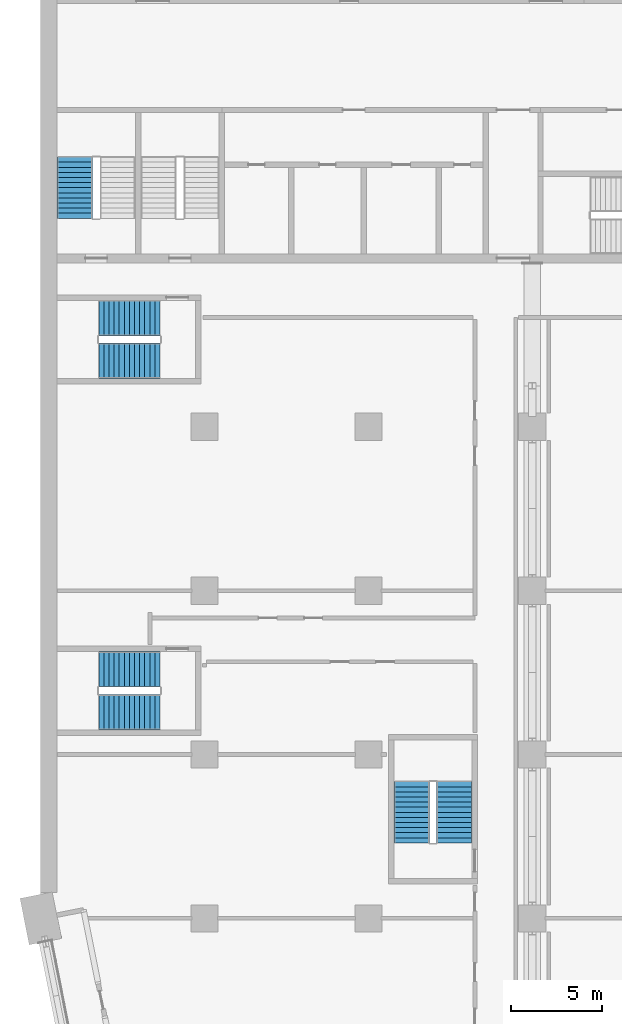
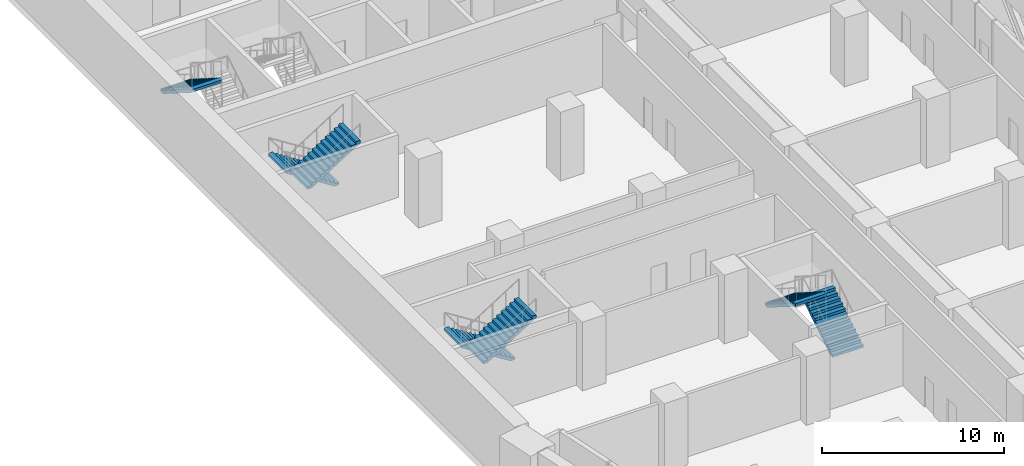
# One storey, part 20 of 31: 7 stair flights, 4 elements without a shape of their own.
"""IFC4 building model written with IfcOpenShell, lengths in metres."""

from ifc_helpers import new_model, si_unit, direction, frame, origin, place, context, subcontext, project, spatial, polyline, outline, extrude, material, type_object, element, aggregate, save


model = new_model("IFC4")

# Units and contexts
model_context = context("Model", 3, precision=1e-05, world=origin(), true_north=direction((0.0, 1.0)))
body_context = subcontext(model_context, "Body", "Model", "MODEL_VIEW")
ifc_project = project(units=[si_unit("LENGTHUNIT", "METRE"), si_unit("AREAUNIT", "SQUARE_METRE"), si_unit("VOLUMEUNIT", "CUBIC_METRE"), si_unit("PLANEANGLEUNIT", "RADIAN"), si_unit("MASSUNIT", "GRAM", prefix="KILO")], contexts=[model_context])

# Site, building, storey
site_placement = place(None, origin())
site = spatial("IfcSite", under=ifc_project, at=site_placement, CompositionType="ELEMENT")
building_placement = place(site_placement, origin())
building = spatial("IfcBuilding", under=site, at=building_placement, Name="Hunhe Ridgeline Campus", CompositionType="ELEMENT")
storey_placement = place(building_placement, frame((0.0, 0.0, 31.199951171875)))
storey = spatial("IfcBuildingStorey", under=building, at=storey_placement, Name="L06", CompositionType="ELEMENT", Elevation=31.199951171875)

# Stair, stair flight
ifc_material = material(Name="Concrete C40", Category="concrete")
stair_type = type_object("IfcStairType", Name="Reinforced concrete dog-leg stair 1950 Concrete C40", PredefinedType="HALF_TURN_STAIR", material=ifc_material)
stair_1_placement = place(storey_placement, origin())
stair_1 = element("IfcStair", 1, at=stair_1_placement, inside=storey, type_object=stair_type, Name="L06 S3", PredefinedType="HALF_TURN_STAIR")
stair_flight_type = type_object("IfcStairFlightType", Name="Reinforced concrete stair flight 1950 Concrete C40", PredefinedType="STRAIGHT", material=ifc_material)
stair_flight_1_placement = place(storey_placement, frame((1.875, 68.81005859375, 2.300048828125), z_axis=(0.0, 0.0, 1.0), x_axis=(0.0, -1.0, 0.0)))
stair_flight_1 = element("IfcStairFlight", 2, at=stair_flight_1_placement, type_object=stair_flight_type, Name="ST3 flight 2", NumberOfRisers=13, NumberOfTreads=12, PredefinedType="STRAIGHT", RiserHeight=0.176923077, TreadLength=0.28, context=body_context, shape_type="SweptSolid", body=[
    extrude(outline(polyline([(0.0, 0.0), (0.0, 0.177001953125), (0.280029296875, 0.177001953125), (0.280029296875, 0.353759765625), (0.56005859375, 0.353759765625), (0.56005859375, 0.53076171875), (0.840087890625, 0.53076171875), (0.840087890625, 0.707763671875), (1.1201171875, 0.707763671875), (1.1201171875, 0.884521484375), (1.39990234375, 0.884521484375), (1.39990234375, 1.0615234375), (1.679931640625, 1.0615234375), (1.679931640625, 1.238525390625), (1.9599609375, 1.238525390625), (1.9599609375, 1.415283203125), (2.239990234375, 1.415283203125), (2.239990234375, 1.59228515625), (2.52001953125, 1.59228515625), (2.52001953125, 1.769287109375), (2.800048828125, 1.769287109375), (2.800048828125, 1.946044921875), (3.080078125, 1.946044921875), (3.080078125, 2.123046875), (3.360107421875, 2.123046875), (3.360107421875, 2.300048828125), (3.360107421875, 1.94580078125), (0.280517578125, 0.0), (0.0, 0.0)])), frame((0.0, 0.97509765625, 0.0), z_axis=(0.0, -1.0, 0.0), x_axis=(1.0, 0.0, 0.0)), (0.0, 0.0, 1.0), 1.949951171875),
    extrude(outline(polyline([(0.030029296875, 0.030029296875), (0.030029296875, 0.14697265625), (0.31005859375, 0.14697265625), (0.31005859375, 0.32373046875), (0.590087890625, 0.32373046875), (0.590087890625, 0.500732421875), (0.8701171875, 0.500732421875), (0.8701171875, 0.677734375), (1.14990234375, 0.677734375), (1.14990234375, 0.8544921875), (1.429931640625, 0.8544921875), (1.429931640625, 1.031494140625), (1.7099609375, 1.031494140625), (1.7099609375, 1.20849609375), (1.989990234375, 1.20849609375), (1.989990234375, 1.385498046875), (2.27001953125, 1.385498046875), (2.27001953125, 1.562255859375), (2.550048828125, 1.562255859375), (2.550048828125, 1.7392578125), (2.830078125, 1.7392578125), (2.830078125, 1.916259765625), (3.110107421875, 1.916259765625), (3.110107421875, 2.093017578125), (3.330078125, 2.093017578125), (3.330078125, 1.96240234375), (0.27197265625, 0.030029296875), (0.030029296875, 0.030029296875)])), frame((0.0, -0.070068359375, 0.0), z_axis=(0.0, -1.0, 0.0), x_axis=(1.0, 0.0, 0.0)), (0.0, 0.0, 1.0), 0.019775390625),
    extrude(outline(polyline([(0.030029296875, 0.030029296875), (0.030029296875, 0.14697265625), (0.31005859375, 0.14697265625), (0.31005859375, 0.32373046875), (0.590087890625, 0.32373046875), (0.590087890625, 0.500732421875), (0.8701171875, 0.500732421875), (0.8701171875, 0.677734375), (1.14990234375, 0.677734375), (1.14990234375, 0.8544921875), (1.429931640625, 0.8544921875), (1.429931640625, 1.031494140625), (1.7099609375, 1.031494140625), (1.7099609375, 1.20849609375), (1.989990234375, 1.20849609375), (1.989990234375, 1.385498046875), (2.27001953125, 1.385498046875), (2.27001953125, 1.562255859375), (2.550048828125, 1.562255859375), (2.550048828125, 1.7392578125), (2.830078125, 1.7392578125), (2.830078125, 1.916259765625), (3.110107421875, 1.916259765625), (3.110107421875, 2.093017578125), (3.330078125, 2.093017578125), (3.330078125, 1.96240234375), (0.27197265625, 0.030029296875), (0.030029296875, 0.030029296875)])), frame((0.0, 0.010009765625, 0.0), z_axis=(0.0, -1.0, 0.0), x_axis=(1.0, 0.0, 0.0)), (0.0, 0.0, 1.0), 0.019775390625),
    extrude(outline(polyline([(0.030029296875, 0.030029296875), (0.030029296875, 0.14697265625), (0.31005859375, 0.14697265625), (0.31005859375, 0.32373046875), (0.590087890625, 0.32373046875), (0.590087890625, 0.500732421875), (0.8701171875, 0.500732421875), (0.8701171875, 0.677734375), (1.14990234375, 0.677734375), (1.14990234375, 0.8544921875), (1.429931640625, 0.8544921875), (1.429931640625, 1.031494140625), (1.7099609375, 1.031494140625), (1.7099609375, 1.20849609375), (1.989990234375, 1.20849609375), (1.989990234375, 1.385498046875), (2.27001953125, 1.385498046875), (2.27001953125, 1.562255859375), (2.550048828125, 1.562255859375), (2.550048828125, 1.7392578125), (2.830078125, 1.7392578125), (2.830078125, 1.916259765625), (3.110107421875, 1.916259765625), (3.110107421875, 2.093017578125), (3.330078125, 2.093017578125), (3.330078125, 1.96240234375), (0.27197265625, 0.030029296875), (0.030029296875, 0.030029296875)])), frame((0.0, 0.090087890625, 0.0), z_axis=(0.0, -1.0, 0.0), x_axis=(1.0, 0.0, 0.0)), (0.0, 0.0, 1.0), 0.019775390625),
])
aggregate(stair_1, [stair_flight_1])

# Stair, stair flights
stair_2_placement = place(storey_placement, origin())
stair_2 = element("IfcStair", 3, at=stair_2_placement, inside=storey, type_object=stair_type, Name="L06 W3", PredefinedType="HALF_TURN_STAIR")
stair_flight_2_placement = place(storey_placement, frame((22.72509765625, 31.14990234375, 0.0), z_axis=(0.0, 0.0, 1.0), x_axis=(0.0, 1.0, 0.0)))
stair_flight_2 = element("IfcStairFlight", 4, at=stair_flight_2_placement, type_object=stair_flight_type, Name="ST9 flight 1", NumberOfRisers=13, NumberOfTreads=12, PredefinedType="STRAIGHT", RiserHeight=0.176923077, TreadLength=0.28, context=body_context, shape_type="SweptSolid", body=[
    extrude(outline(polyline([(0.0, 0.0), (0.0, 0.177001953125), (0.280029296875, 0.177001953125), (0.280029296875, 0.353759765625), (0.56005859375, 0.353759765625), (0.56005859375, 0.53076171875), (0.840087890625, 0.53076171875), (0.840087890625, 0.707763671875), (1.1201171875, 0.707763671875), (1.1201171875, 0.884521484375), (1.39990234375, 0.884521484375), (1.39990234375, 1.0615234375), (1.679931640625, 1.0615234375), (1.679931640625, 1.238525390625), (1.9599609375, 1.238525390625), (1.9599609375, 1.415283203125), (2.239990234375, 1.415283203125), (2.239990234375, 1.59228515625), (2.52001953125, 1.59228515625), (2.52001953125, 1.769287109375), (2.800048828125, 1.769287109375), (2.800048828125, 1.946044921875), (3.080078125, 1.946044921875), (3.080078125, 2.123046875), (3.360107421875, 2.123046875), (3.360107421875, 2.300048828125), (3.360107421875, 1.94580078125), (0.280517578125, 0.0), (0.0, 0.0)])), frame((0.0, 0.97509765625, 0.0), z_axis=(0.0, -1.0, 0.0), x_axis=(1.0, 0.0, 0.0)), (0.0, 0.0, 1.0), 1.949951171875),
    extrude(outline(polyline([(0.030029296875, 0.030029296875), (0.030029296875, 0.14697265625), (0.31005859375, 0.14697265625), (0.31005859375, 0.32373046875), (0.590087890625, 0.32373046875), (0.590087890625, 0.500732421875), (0.8701171875, 0.500732421875), (0.8701171875, 0.677734375), (1.14990234375, 0.677734375), (1.14990234375, 0.8544921875), (1.429931640625, 0.8544921875), (1.429931640625, 1.031494140625), (1.7099609375, 1.031494140625), (1.7099609375, 1.20849609375), (1.989990234375, 1.20849609375), (1.989990234375, 1.385498046875), (2.27001953125, 1.385498046875), (2.27001953125, 1.562255859375), (2.550048828125, 1.562255859375), (2.550048828125, 1.7392578125), (2.830078125, 1.7392578125), (2.830078125, 1.916259765625), (3.110107421875, 1.916259765625), (3.110107421875, 2.093017578125), (3.330078125, 2.093017578125), (3.330078125, 1.96240234375), (0.27197265625, 0.030029296875), (0.030029296875, 0.030029296875)])), frame((0.0, -0.070068359375, 0.0), z_axis=(0.0, -1.0, 0.0), x_axis=(1.0, 0.0, 0.0)), (0.0, 0.0, 1.0), 0.019775390625),
    extrude(outline(polyline([(0.030029296875, 0.030029296875), (0.030029296875, 0.14697265625), (0.31005859375, 0.14697265625), (0.31005859375, 0.32373046875), (0.590087890625, 0.32373046875), (0.590087890625, 0.500732421875), (0.8701171875, 0.500732421875), (0.8701171875, 0.677734375), (1.14990234375, 0.677734375), (1.14990234375, 0.8544921875), (1.429931640625, 0.8544921875), (1.429931640625, 1.031494140625), (1.7099609375, 1.031494140625), (1.7099609375, 1.20849609375), (1.989990234375, 1.20849609375), (1.989990234375, 1.385498046875), (2.27001953125, 1.385498046875), (2.27001953125, 1.562255859375), (2.550048828125, 1.562255859375), (2.550048828125, 1.7392578125), (2.830078125, 1.7392578125), (2.830078125, 1.916259765625), (3.110107421875, 1.916259765625), (3.110107421875, 2.093017578125), (3.330078125, 2.093017578125), (3.330078125, 1.96240234375), (0.27197265625, 0.030029296875), (0.030029296875, 0.030029296875)])), frame((0.0, 0.010009765625, 0.0), z_axis=(0.0, -1.0, 0.0), x_axis=(1.0, 0.0, 0.0)), (0.0, 0.0, 1.0), 0.019775390625),
    extrude(outline(polyline([(0.030029296875, 0.030029296875), (0.030029296875, 0.14697265625), (0.31005859375, 0.14697265625), (0.31005859375, 0.32373046875), (0.590087890625, 0.32373046875), (0.590087890625, 0.500732421875), (0.8701171875, 0.500732421875), (0.8701171875, 0.677734375), (1.14990234375, 0.677734375), (1.14990234375, 0.8544921875), (1.429931640625, 0.8544921875), (1.429931640625, 1.031494140625), (1.7099609375, 1.031494140625), (1.7099609375, 1.20849609375), (1.989990234375, 1.20849609375), (1.989990234375, 1.385498046875), (2.27001953125, 1.385498046875), (2.27001953125, 1.562255859375), (2.550048828125, 1.562255859375), (2.550048828125, 1.7392578125), (2.830078125, 1.7392578125), (2.830078125, 1.916259765625), (3.110107421875, 1.916259765625), (3.110107421875, 2.093017578125), (3.330078125, 2.093017578125), (3.330078125, 1.96240234375), (0.27197265625, 0.030029296875), (0.030029296875, 0.030029296875)])), frame((0.0, 0.090087890625, 0.0), z_axis=(0.0, -1.0, 0.0), x_axis=(1.0, 0.0, 0.0)), (0.0, 0.0, 1.0), 0.019775390625),
])
stair_flight_3_placement = place(storey_placement, frame((20.375, 34.510009765625, 2.300048828125), z_axis=(0.0, 0.0, 1.0), x_axis=(0.0, -1.0, 0.0)))
stair_flight_3 = element("IfcStairFlight", 5, at=stair_flight_3_placement, type_object=stair_flight_type, Name="ST9 flight 2", NumberOfRisers=13, NumberOfTreads=12, PredefinedType="STRAIGHT", RiserHeight=0.176923077, TreadLength=0.28, context=body_context, shape_type="SweptSolid", body=[
    extrude(outline(polyline([(0.0, 0.0), (0.0, 0.177001953125), (0.280029296875, 0.177001953125), (0.280029296875, 0.353759765625), (0.56005859375, 0.353759765625), (0.56005859375, 0.53076171875), (0.840087890625, 0.53076171875), (0.840087890625, 0.707763671875), (1.1201171875, 0.707763671875), (1.1201171875, 0.884521484375), (1.39990234375, 0.884521484375), (1.39990234375, 1.0615234375), (1.679931640625, 1.0615234375), (1.679931640625, 1.238525390625), (1.9599609375, 1.238525390625), (1.9599609375, 1.415283203125), (2.239990234375, 1.415283203125), (2.239990234375, 1.59228515625), (2.52001953125, 1.59228515625), (2.52001953125, 1.769287109375), (2.800048828125, 1.769287109375), (2.800048828125, 1.946044921875), (3.080078125, 1.946044921875), (3.080078125, 2.123046875), (3.360107421875, 2.123046875), (3.360107421875, 2.300048828125), (3.360107421875, 1.94580078125), (0.280517578125, 0.0), (0.0, 0.0)])), frame((0.0, 0.97509765625, 0.0), z_axis=(0.0, -1.0, 0.0), x_axis=(1.0, 0.0, 0.0)), (0.0, 0.0, 1.0), 1.949951171875),
    extrude(outline(polyline([(0.030029296875, 0.030029296875), (0.030029296875, 0.14697265625), (0.31005859375, 0.14697265625), (0.31005859375, 0.32373046875), (0.590087890625, 0.32373046875), (0.590087890625, 0.500732421875), (0.8701171875, 0.500732421875), (0.8701171875, 0.677734375), (1.14990234375, 0.677734375), (1.14990234375, 0.8544921875), (1.429931640625, 0.8544921875), (1.429931640625, 1.031494140625), (1.7099609375, 1.031494140625), (1.7099609375, 1.20849609375), (1.989990234375, 1.20849609375), (1.989990234375, 1.385498046875), (2.27001953125, 1.385498046875), (2.27001953125, 1.562255859375), (2.550048828125, 1.562255859375), (2.550048828125, 1.7392578125), (2.830078125, 1.7392578125), (2.830078125, 1.916259765625), (3.110107421875, 1.916259765625), (3.110107421875, 2.093017578125), (3.330078125, 2.093017578125), (3.330078125, 1.96240234375), (0.27197265625, 0.030029296875), (0.030029296875, 0.030029296875)])), frame((0.0, -0.070068359375, 0.0), z_axis=(0.0, -1.0, 0.0), x_axis=(1.0, 0.0, 0.0)), (0.0, 0.0, 1.0), 0.019775390625),
    extrude(outline(polyline([(0.030029296875, 0.030029296875), (0.030029296875, 0.14697265625), (0.31005859375, 0.14697265625), (0.31005859375, 0.32373046875), (0.590087890625, 0.32373046875), (0.590087890625, 0.500732421875), (0.8701171875, 0.500732421875), (0.8701171875, 0.677734375), (1.14990234375, 0.677734375), (1.14990234375, 0.8544921875), (1.429931640625, 0.8544921875), (1.429931640625, 1.031494140625), (1.7099609375, 1.031494140625), (1.7099609375, 1.20849609375), (1.989990234375, 1.20849609375), (1.989990234375, 1.385498046875), (2.27001953125, 1.385498046875), (2.27001953125, 1.562255859375), (2.550048828125, 1.562255859375), (2.550048828125, 1.7392578125), (2.830078125, 1.7392578125), (2.830078125, 1.916259765625), (3.110107421875, 1.916259765625), (3.110107421875, 2.093017578125), (3.330078125, 2.093017578125), (3.330078125, 1.96240234375), (0.27197265625, 0.030029296875), (0.030029296875, 0.030029296875)])), frame((0.0, 0.010009765625, 0.0), z_axis=(0.0, -1.0, 0.0), x_axis=(1.0, 0.0, 0.0)), (0.0, 0.0, 1.0), 0.019775390625),
    extrude(outline(polyline([(0.030029296875, 0.030029296875), (0.030029296875, 0.14697265625), (0.31005859375, 0.14697265625), (0.31005859375, 0.32373046875), (0.590087890625, 0.32373046875), (0.590087890625, 0.500732421875), (0.8701171875, 0.500732421875), (0.8701171875, 0.677734375), (1.14990234375, 0.677734375), (1.14990234375, 0.8544921875), (1.429931640625, 0.8544921875), (1.429931640625, 1.031494140625), (1.7099609375, 1.031494140625), (1.7099609375, 1.20849609375), (1.989990234375, 1.20849609375), (1.989990234375, 1.385498046875), (2.27001953125, 1.385498046875), (2.27001953125, 1.562255859375), (2.550048828125, 1.562255859375), (2.550048828125, 1.7392578125), (2.830078125, 1.7392578125), (2.830078125, 1.916259765625), (3.110107421875, 1.916259765625), (3.110107421875, 2.093017578125), (3.330078125, 2.093017578125), (3.330078125, 1.96240234375), (0.27197265625, 0.030029296875), (0.030029296875, 0.030029296875)])), frame((0.0, 0.090087890625, 0.0), z_axis=(0.0, -1.0, 0.0), x_axis=(1.0, 0.0, 0.0)), (0.0, 0.0, 1.0), 0.019775390625),
])
aggregate(stair_2, [stair_flight_2, stair_flight_3])

stair_3_placement = place(storey_placement, origin())
stair_3 = element("IfcStair", 6, at=stair_3_placement, inside=storey, type_object=stair_type, Name="L06 W1", PredefinedType="HALF_TURN_STAIR")
stair_flight_4_placement = place(storey_placement, frame((6.550048828125, 40.675048828125, 0.0), z_axis=(0.0, 0.0, 1.0), x_axis=(-1.0, 0.0, 0.0)))
stair_flight_4 = element("IfcStairFlight", 7, at=stair_flight_4_placement, type_object=stair_flight_type, Name="ST11 flight 1", NumberOfRisers=13, NumberOfTreads=12, PredefinedType="STRAIGHT", RiserHeight=0.176923077, TreadLength=0.28, context=body_context, shape_type="SweptSolid", body=[
    extrude(outline(polyline([(0.0, 0.0), (0.0, 0.177001953125), (0.280029296875, 0.177001953125), (0.280029296875, 0.353759765625), (0.56005859375, 0.353759765625), (0.56005859375, 0.53076171875), (0.840087890625, 0.53076171875), (0.840087890625, 0.707763671875), (1.1201171875, 0.707763671875), (1.1201171875, 0.884521484375), (1.39990234375, 0.884521484375), (1.39990234375, 1.0615234375), (1.679931640625, 1.0615234375), (1.679931640625, 1.238525390625), (1.9599609375, 1.238525390625), (1.9599609375, 1.415283203125), (2.239990234375, 1.415283203125), (2.239990234375, 1.59228515625), (2.52001953125, 1.59228515625), (2.52001953125, 1.769287109375), (2.800048828125, 1.769287109375), (2.800048828125, 1.946044921875), (3.080078125, 1.946044921875), (3.080078125, 2.123046875), (3.360107421875, 2.123046875), (3.360107421875, 2.300048828125), (3.360107421875, 1.94580078125), (0.280517578125, 0.0), (0.0, 0.0)])), frame((0.0, 0.97509765625, 0.0), z_axis=(0.0, -1.0, 0.0), x_axis=(1.0, 0.0, 0.0)), (0.0, 0.0, 1.0), 1.949951171875),
    extrude(outline(polyline([(0.030029296875, 0.030029296875), (0.030029296875, 0.14697265625), (0.31005859375, 0.14697265625), (0.31005859375, 0.32373046875), (0.590087890625, 0.32373046875), (0.590087890625, 0.500732421875), (0.8701171875, 0.500732421875), (0.8701171875, 0.677734375), (1.14990234375, 0.677734375), (1.14990234375, 0.8544921875), (1.429931640625, 0.8544921875), (1.429931640625, 1.031494140625), (1.7099609375, 1.031494140625), (1.7099609375, 1.20849609375), (1.989990234375, 1.20849609375), (1.989990234375, 1.385498046875), (2.27001953125, 1.385498046875), (2.27001953125, 1.562255859375), (2.550048828125, 1.562255859375), (2.550048828125, 1.7392578125), (2.830078125, 1.7392578125), (2.830078125, 1.916259765625), (3.110107421875, 1.916259765625), (3.110107421875, 2.093017578125), (3.330078125, 2.093017578125), (3.330078125, 1.96240234375), (0.27197265625, 0.030029296875), (0.030029296875, 0.030029296875)])), frame((0.0, -0.070068359375, 0.0), z_axis=(0.0, -1.0, 0.0), x_axis=(1.0, 0.0, 0.0)), (0.0, 0.0, 1.0), 0.019775390625),
    extrude(outline(polyline([(0.030029296875, 0.030029296875), (0.030029296875, 0.14697265625), (0.31005859375, 0.14697265625), (0.31005859375, 0.32373046875), (0.590087890625, 0.32373046875), (0.590087890625, 0.500732421875), (0.8701171875, 0.500732421875), (0.8701171875, 0.677734375), (1.14990234375, 0.677734375), (1.14990234375, 0.8544921875), (1.429931640625, 0.8544921875), (1.429931640625, 1.031494140625), (1.7099609375, 1.031494140625), (1.7099609375, 1.20849609375), (1.989990234375, 1.20849609375), (1.989990234375, 1.385498046875), (2.27001953125, 1.385498046875), (2.27001953125, 1.562255859375), (2.550048828125, 1.562255859375), (2.550048828125, 1.7392578125), (2.830078125, 1.7392578125), (2.830078125, 1.916259765625), (3.110107421875, 1.916259765625), (3.110107421875, 2.093017578125), (3.330078125, 2.093017578125), (3.330078125, 1.96240234375), (0.27197265625, 0.030029296875), (0.030029296875, 0.030029296875)])), frame((0.0, 0.010009765625, 0.0), z_axis=(0.0, -1.0, 0.0), x_axis=(1.0, 0.0, 0.0)), (0.0, 0.0, 1.0), 0.019775390625),
    extrude(outline(polyline([(0.030029296875, 0.030029296875), (0.030029296875, 0.14697265625), (0.31005859375, 0.14697265625), (0.31005859375, 0.32373046875), (0.590087890625, 0.32373046875), (0.590087890625, 0.500732421875), (0.8701171875, 0.500732421875), (0.8701171875, 0.677734375), (1.14990234375, 0.677734375), (1.14990234375, 0.8544921875), (1.429931640625, 0.8544921875), (1.429931640625, 1.031494140625), (1.7099609375, 1.031494140625), (1.7099609375, 1.20849609375), (1.989990234375, 1.20849609375), (1.989990234375, 1.385498046875), (2.27001953125, 1.385498046875), (2.27001953125, 1.562255859375), (2.550048828125, 1.562255859375), (2.550048828125, 1.7392578125), (2.830078125, 1.7392578125), (2.830078125, 1.916259765625), (3.110107421875, 1.916259765625), (3.110107421875, 2.093017578125), (3.330078125, 2.093017578125), (3.330078125, 1.96240234375), (0.27197265625, 0.030029296875), (0.030029296875, 0.030029296875)])), frame((0.0, 0.090087890625, 0.0), z_axis=(0.0, -1.0, 0.0), x_axis=(1.0, 0.0, 0.0)), (0.0, 0.0, 1.0), 0.019775390625),
])
stair_flight_5_placement = place(storey_placement, frame((3.18994140625, 38.324951171875, 2.300048828125), z_axis=(0.0, 0.0, 1.0), x_axis=(1.0, 0.0, 0.0)))
stair_flight_5 = element("IfcStairFlight", 8, at=stair_flight_5_placement, type_object=stair_flight_type, Name="ST11 flight 2", NumberOfRisers=13, NumberOfTreads=12, PredefinedType="STRAIGHT", RiserHeight=0.176923077, TreadLength=0.28, context=body_context, shape_type="SweptSolid", body=[
    extrude(outline(polyline([(0.0, 0.0), (0.0, 0.177001953125), (0.280029296875, 0.177001953125), (0.280029296875, 0.353759765625), (0.56005859375, 0.353759765625), (0.56005859375, 0.53076171875), (0.840087890625, 0.53076171875), (0.840087890625, 0.707763671875), (1.1201171875, 0.707763671875), (1.1201171875, 0.884521484375), (1.39990234375, 0.884521484375), (1.39990234375, 1.0615234375), (1.679931640625, 1.0615234375), (1.679931640625, 1.238525390625), (1.9599609375, 1.238525390625), (1.9599609375, 1.415283203125), (2.239990234375, 1.415283203125), (2.239990234375, 1.59228515625), (2.52001953125, 1.59228515625), (2.52001953125, 1.769287109375), (2.800048828125, 1.769287109375), (2.800048828125, 1.946044921875), (3.080078125, 1.946044921875), (3.080078125, 2.123046875), (3.360107421875, 2.123046875), (3.360107421875, 2.300048828125), (3.360107421875, 1.94580078125), (0.280517578125, 0.0), (0.0, 0.0)])), frame((0.0, 0.97509765625, 0.0), z_axis=(0.0, -1.0, 0.0), x_axis=(1.0, 0.0, 0.0)), (0.0, 0.0, 1.0), 1.949951171875),
    extrude(outline(polyline([(0.030029296875, 0.030029296875), (0.030029296875, 0.14697265625), (0.31005859375, 0.14697265625), (0.31005859375, 0.32373046875), (0.590087890625, 0.32373046875), (0.590087890625, 0.500732421875), (0.8701171875, 0.500732421875), (0.8701171875, 0.677734375), (1.14990234375, 0.677734375), (1.14990234375, 0.8544921875), (1.429931640625, 0.8544921875), (1.429931640625, 1.031494140625), (1.7099609375, 1.031494140625), (1.7099609375, 1.20849609375), (1.989990234375, 1.20849609375), (1.989990234375, 1.385498046875), (2.27001953125, 1.385498046875), (2.27001953125, 1.562255859375), (2.550048828125, 1.562255859375), (2.550048828125, 1.7392578125), (2.830078125, 1.7392578125), (2.830078125, 1.916259765625), (3.110107421875, 1.916259765625), (3.110107421875, 2.093017578125), (3.330078125, 2.093017578125), (3.330078125, 1.96240234375), (0.27197265625, 0.030029296875), (0.030029296875, 0.030029296875)])), frame((0.0, -0.070068359375, 0.0), z_axis=(0.0, -1.0, 0.0), x_axis=(1.0, 0.0, 0.0)), (0.0, 0.0, 1.0), 0.019775390625),
    extrude(outline(polyline([(0.030029296875, 0.030029296875), (0.030029296875, 0.14697265625), (0.31005859375, 0.14697265625), (0.31005859375, 0.32373046875), (0.590087890625, 0.32373046875), (0.590087890625, 0.500732421875), (0.8701171875, 0.500732421875), (0.8701171875, 0.677734375), (1.14990234375, 0.677734375), (1.14990234375, 0.8544921875), (1.429931640625, 0.8544921875), (1.429931640625, 1.031494140625), (1.7099609375, 1.031494140625), (1.7099609375, 1.20849609375), (1.989990234375, 1.20849609375), (1.989990234375, 1.385498046875), (2.27001953125, 1.385498046875), (2.27001953125, 1.562255859375), (2.550048828125, 1.562255859375), (2.550048828125, 1.7392578125), (2.830078125, 1.7392578125), (2.830078125, 1.916259765625), (3.110107421875, 1.916259765625), (3.110107421875, 2.093017578125), (3.330078125, 2.093017578125), (3.330078125, 1.96240234375), (0.27197265625, 0.030029296875), (0.030029296875, 0.030029296875)])), frame((0.0, 0.010009765625, 0.0), z_axis=(0.0, -1.0, 0.0), x_axis=(1.0, 0.0, 0.0)), (0.0, 0.0, 1.0), 0.019775390625),
    extrude(outline(polyline([(0.030029296875, 0.030029296875), (0.030029296875, 0.14697265625), (0.31005859375, 0.14697265625), (0.31005859375, 0.32373046875), (0.590087890625, 0.32373046875), (0.590087890625, 0.500732421875), (0.8701171875, 0.500732421875), (0.8701171875, 0.677734375), (1.14990234375, 0.677734375), (1.14990234375, 0.8544921875), (1.429931640625, 0.8544921875), (1.429931640625, 1.031494140625), (1.7099609375, 1.031494140625), (1.7099609375, 1.20849609375), (1.989990234375, 1.20849609375), (1.989990234375, 1.385498046875), (2.27001953125, 1.385498046875), (2.27001953125, 1.562255859375), (2.550048828125, 1.562255859375), (2.550048828125, 1.7392578125), (2.830078125, 1.7392578125), (2.830078125, 1.916259765625), (3.110107421875, 1.916259765625), (3.110107421875, 2.093017578125), (3.330078125, 2.093017578125), (3.330078125, 1.96240234375), (0.27197265625, 0.030029296875), (0.030029296875, 0.030029296875)])), frame((0.0, 0.090087890625, 0.0), z_axis=(0.0, -1.0, 0.0), x_axis=(1.0, 0.0, 0.0)), (0.0, 0.0, 1.0), 0.019775390625),
])
aggregate(stair_3, [stair_flight_4, stair_flight_5])

stair_4_placement = place(storey_placement, origin())
stair_4 = element("IfcStair", 9, at=stair_4_placement, inside=storey, type_object=stair_type, Name="L06 W2", PredefinedType="HALF_TURN_STAIR")
stair_flight_6_placement = place(storey_placement, frame((6.550048828125, 59.97509765625, 0.0), z_axis=(0.0, 0.0, 1.0), x_axis=(-1.0, 0.0, 0.0)))
stair_flight_6 = element("IfcStairFlight", 10, at=stair_flight_6_placement, type_object=stair_flight_type, Name="ST12 flight 1", NumberOfRisers=13, NumberOfTreads=12, PredefinedType="STRAIGHT", RiserHeight=0.176923077, TreadLength=0.28, context=body_context, shape_type="SweptSolid", body=[
    extrude(outline(polyline([(0.0, 0.0), (0.0, 0.177001953125), (0.280029296875, 0.177001953125), (0.280029296875, 0.353759765625), (0.56005859375, 0.353759765625), (0.56005859375, 0.53076171875), (0.840087890625, 0.53076171875), (0.840087890625, 0.707763671875), (1.1201171875, 0.707763671875), (1.1201171875, 0.884521484375), (1.39990234375, 0.884521484375), (1.39990234375, 1.0615234375), (1.679931640625, 1.0615234375), (1.679931640625, 1.238525390625), (1.9599609375, 1.238525390625), (1.9599609375, 1.415283203125), (2.239990234375, 1.415283203125), (2.239990234375, 1.59228515625), (2.52001953125, 1.59228515625), (2.52001953125, 1.769287109375), (2.800048828125, 1.769287109375), (2.800048828125, 1.946044921875), (3.080078125, 1.946044921875), (3.080078125, 2.123046875), (3.360107421875, 2.123046875), (3.360107421875, 2.300048828125), (3.360107421875, 1.94580078125), (0.280517578125, 0.0), (0.0, 0.0)])), frame((0.0, 0.97509765625, 0.0), z_axis=(0.0, -1.0, 0.0), x_axis=(1.0, 0.0, 0.0)), (0.0, 0.0, 1.0), 1.949951171875),
    extrude(outline(polyline([(0.030029296875, 0.030029296875), (0.030029296875, 0.14697265625), (0.31005859375, 0.14697265625), (0.31005859375, 0.32373046875), (0.590087890625, 0.32373046875), (0.590087890625, 0.500732421875), (0.8701171875, 0.500732421875), (0.8701171875, 0.677734375), (1.14990234375, 0.677734375), (1.14990234375, 0.8544921875), (1.429931640625, 0.8544921875), (1.429931640625, 1.031494140625), (1.7099609375, 1.031494140625), (1.7099609375, 1.20849609375), (1.989990234375, 1.20849609375), (1.989990234375, 1.385498046875), (2.27001953125, 1.385498046875), (2.27001953125, 1.562255859375), (2.550048828125, 1.562255859375), (2.550048828125, 1.7392578125), (2.830078125, 1.7392578125), (2.830078125, 1.916259765625), (3.110107421875, 1.916259765625), (3.110107421875, 2.093017578125), (3.330078125, 2.093017578125), (3.330078125, 1.96240234375), (0.27197265625, 0.030029296875), (0.030029296875, 0.030029296875)])), frame((0.0, -0.070068359375, 0.0), z_axis=(0.0, -1.0, 0.0), x_axis=(1.0, 0.0, 0.0)), (0.0, 0.0, 1.0), 0.019775390625),
    extrude(outline(polyline([(0.030029296875, 0.030029296875), (0.030029296875, 0.14697265625), (0.31005859375, 0.14697265625), (0.31005859375, 0.32373046875), (0.590087890625, 0.32373046875), (0.590087890625, 0.500732421875), (0.8701171875, 0.500732421875), (0.8701171875, 0.677734375), (1.14990234375, 0.677734375), (1.14990234375, 0.8544921875), (1.429931640625, 0.8544921875), (1.429931640625, 1.031494140625), (1.7099609375, 1.031494140625), (1.7099609375, 1.20849609375), (1.989990234375, 1.20849609375), (1.989990234375, 1.385498046875), (2.27001953125, 1.385498046875), (2.27001953125, 1.562255859375), (2.550048828125, 1.562255859375), (2.550048828125, 1.7392578125), (2.830078125, 1.7392578125), (2.830078125, 1.916259765625), (3.110107421875, 1.916259765625), (3.110107421875, 2.093017578125), (3.330078125, 2.093017578125), (3.330078125, 1.96240234375), (0.27197265625, 0.030029296875), (0.030029296875, 0.030029296875)])), frame((0.0, 0.010009765625, 0.0), z_axis=(0.0, -1.0, 0.0), x_axis=(1.0, 0.0, 0.0)), (0.0, 0.0, 1.0), 0.019775390625),
    extrude(outline(polyline([(0.030029296875, 0.030029296875), (0.030029296875, 0.14697265625), (0.31005859375, 0.14697265625), (0.31005859375, 0.32373046875), (0.590087890625, 0.32373046875), (0.590087890625, 0.500732421875), (0.8701171875, 0.500732421875), (0.8701171875, 0.677734375), (1.14990234375, 0.677734375), (1.14990234375, 0.8544921875), (1.429931640625, 0.8544921875), (1.429931640625, 1.031494140625), (1.7099609375, 1.031494140625), (1.7099609375, 1.20849609375), (1.989990234375, 1.20849609375), (1.989990234375, 1.385498046875), (2.27001953125, 1.385498046875), (2.27001953125, 1.562255859375), (2.550048828125, 1.562255859375), (2.550048828125, 1.7392578125), (2.830078125, 1.7392578125), (2.830078125, 1.916259765625), (3.110107421875, 1.916259765625), (3.110107421875, 2.093017578125), (3.330078125, 2.093017578125), (3.330078125, 1.96240234375), (0.27197265625, 0.030029296875), (0.030029296875, 0.030029296875)])), frame((0.0, 0.090087890625, 0.0), z_axis=(0.0, -1.0, 0.0), x_axis=(1.0, 0.0, 0.0)), (0.0, 0.0, 1.0), 0.019775390625),
])
stair_flight_7_placement = place(storey_placement, frame((3.18994140625, 57.625, 2.300048828125), z_axis=(0.0, 0.0, 1.0), x_axis=(1.0, 0.0, 0.0)))
stair_flight_7 = element("IfcStairFlight", 11, at=stair_flight_7_placement, type_object=stair_flight_type, Name="ST12 flight 2", NumberOfRisers=13, NumberOfTreads=12, PredefinedType="STRAIGHT", RiserHeight=0.176923077, TreadLength=0.28, context=body_context, shape_type="SweptSolid", body=[
    extrude(outline(polyline([(0.0, 0.0), (0.0, 0.177001953125), (0.280029296875, 0.177001953125), (0.280029296875, 0.353759765625), (0.56005859375, 0.353759765625), (0.56005859375, 0.53076171875), (0.840087890625, 0.53076171875), (0.840087890625, 0.707763671875), (1.1201171875, 0.707763671875), (1.1201171875, 0.884521484375), (1.39990234375, 0.884521484375), (1.39990234375, 1.0615234375), (1.679931640625, 1.0615234375), (1.679931640625, 1.238525390625), (1.9599609375, 1.238525390625), (1.9599609375, 1.415283203125), (2.239990234375, 1.415283203125), (2.239990234375, 1.59228515625), (2.52001953125, 1.59228515625), (2.52001953125, 1.769287109375), (2.800048828125, 1.769287109375), (2.800048828125, 1.946044921875), (3.080078125, 1.946044921875), (3.080078125, 2.123046875), (3.360107421875, 2.123046875), (3.360107421875, 2.300048828125), (3.360107421875, 1.94580078125), (0.280517578125, 0.0), (0.0, 0.0)])), frame((0.0, 0.97509765625, 0.0), z_axis=(0.0, -1.0, 0.0), x_axis=(1.0, 0.0, 0.0)), (0.0, 0.0, 1.0), 1.949951171875),
    extrude(outline(polyline([(0.030029296875, 0.030029296875), (0.030029296875, 0.14697265625), (0.31005859375, 0.14697265625), (0.31005859375, 0.32373046875), (0.590087890625, 0.32373046875), (0.590087890625, 0.500732421875), (0.8701171875, 0.500732421875), (0.8701171875, 0.677734375), (1.14990234375, 0.677734375), (1.14990234375, 0.8544921875), (1.429931640625, 0.8544921875), (1.429931640625, 1.031494140625), (1.7099609375, 1.031494140625), (1.7099609375, 1.20849609375), (1.989990234375, 1.20849609375), (1.989990234375, 1.385498046875), (2.27001953125, 1.385498046875), (2.27001953125, 1.562255859375), (2.550048828125, 1.562255859375), (2.550048828125, 1.7392578125), (2.830078125, 1.7392578125), (2.830078125, 1.916259765625), (3.110107421875, 1.916259765625), (3.110107421875, 2.093017578125), (3.330078125, 2.093017578125), (3.330078125, 1.96240234375), (0.27197265625, 0.030029296875), (0.030029296875, 0.030029296875)])), frame((0.0, -0.070068359375, 0.0), z_axis=(0.0, -1.0, 0.0), x_axis=(1.0, 0.0, 0.0)), (0.0, 0.0, 1.0), 0.019775390625),
    extrude(outline(polyline([(0.030029296875, 0.030029296875), (0.030029296875, 0.14697265625), (0.31005859375, 0.14697265625), (0.31005859375, 0.32373046875), (0.590087890625, 0.32373046875), (0.590087890625, 0.500732421875), (0.8701171875, 0.500732421875), (0.8701171875, 0.677734375), (1.14990234375, 0.677734375), (1.14990234375, 0.8544921875), (1.429931640625, 0.8544921875), (1.429931640625, 1.031494140625), (1.7099609375, 1.031494140625), (1.7099609375, 1.20849609375), (1.989990234375, 1.20849609375), (1.989990234375, 1.385498046875), (2.27001953125, 1.385498046875), (2.27001953125, 1.562255859375), (2.550048828125, 1.562255859375), (2.550048828125, 1.7392578125), (2.830078125, 1.7392578125), (2.830078125, 1.916259765625), (3.110107421875, 1.916259765625), (3.110107421875, 2.093017578125), (3.330078125, 2.093017578125), (3.330078125, 1.96240234375), (0.27197265625, 0.030029296875), (0.030029296875, 0.030029296875)])), frame((0.0, 0.010009765625, 0.0), z_axis=(0.0, -1.0, 0.0), x_axis=(1.0, 0.0, 0.0)), (0.0, 0.0, 1.0), 0.019775390625),
    extrude(outline(polyline([(0.030029296875, 0.030029296875), (0.030029296875, 0.14697265625), (0.31005859375, 0.14697265625), (0.31005859375, 0.32373046875), (0.590087890625, 0.32373046875), (0.590087890625, 0.500732421875), (0.8701171875, 0.500732421875), (0.8701171875, 0.677734375), (1.14990234375, 0.677734375), (1.14990234375, 0.8544921875), (1.429931640625, 0.8544921875), (1.429931640625, 1.031494140625), (1.7099609375, 1.031494140625), (1.7099609375, 1.20849609375), (1.989990234375, 1.20849609375), (1.989990234375, 1.385498046875), (2.27001953125, 1.385498046875), (2.27001953125, 1.562255859375), (2.550048828125, 1.562255859375), (2.550048828125, 1.7392578125), (2.830078125, 1.7392578125), (2.830078125, 1.916259765625), (3.110107421875, 1.916259765625), (3.110107421875, 2.093017578125), (3.330078125, 2.093017578125), (3.330078125, 1.96240234375), (0.27197265625, 0.030029296875), (0.030029296875, 0.030029296875)])), frame((0.0, 0.090087890625, 0.0), z_axis=(0.0, -1.0, 0.0), x_axis=(1.0, 0.0, 0.0)), (0.0, 0.0, 1.0), 0.019775390625),
])
aggregate(stair_4, [stair_flight_6, stair_flight_7])

save(model, "model.ifc")
